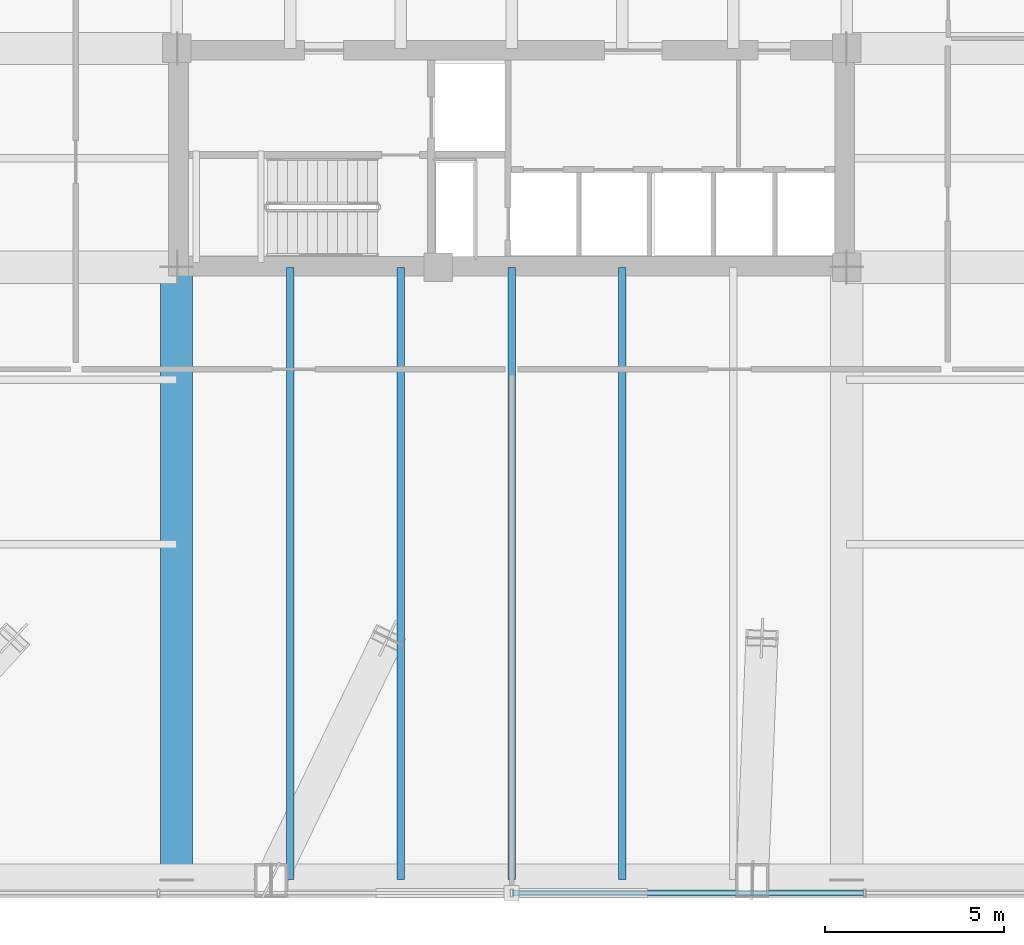
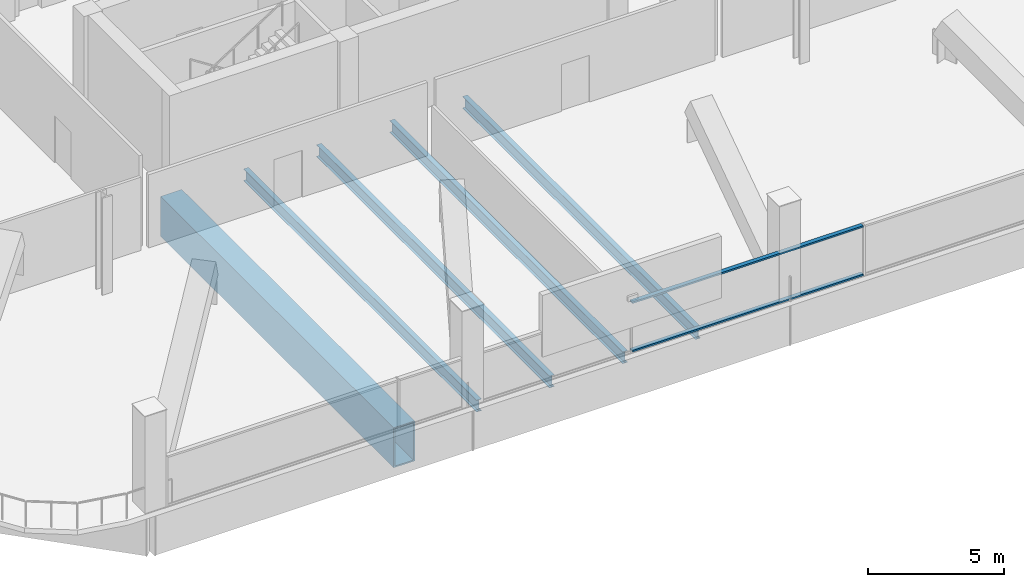
# One storey, part 5 of 38: 5 beams, 2 members, 1 element without a shape of its own.
"""IFC4 building model written with IfcOpenShell, lengths in metres."""

from ifc_helpers import new_model, si_unit, direction, frame, origin, origin_2d, place, context, subcontext, project, spatial, hollow_rectangle, i_section, extrude, material, layer, layer_set, material_profile, profile_set, type_object, element, aggregate, save


model = new_model("IFC4")

# Units and contexts
model_context = context("Model", 3, precision=1e-05, world=origin(), true_north=direction((0.0, 1.0)))
body_context = subcontext(model_context, "Body", "Model", "MODEL_VIEW")
ifc_project = project(units=[si_unit("LENGTHUNIT", "METRE"), si_unit("AREAUNIT", "SQUARE_METRE"), si_unit("VOLUMEUNIT", "CUBIC_METRE"), si_unit("PLANEANGLEUNIT", "RADIAN"), si_unit("MASSUNIT", "GRAM", prefix="KILO")], contexts=[model_context])

# Site, building, storey
site_placement = place(None, origin())
site = spatial("IfcSite", under=ifc_project, at=site_placement, CompositionType="ELEMENT")
building_placement = place(site_placement, origin())
building = spatial("IfcBuilding", under=site, at=building_placement, Name="Qhalaya Broadcast Tower", CompositionType="ELEMENT")
storey_placement = place(building_placement, frame((0.0, 0.0, 53.550048828125)))
storey = spatial("IfcBuildingStorey", under=building, at=storey_placement, Name="L15", CompositionType="ELEMENT", Elevation=53.550048828125)

# Beams
ifc_material_1 = material(Name="Structural Steel ASTM A572 Grade 50", Category="steel")
ifc_material_profile_1 = material_profile(ifc_material_1, hollow_rectangle(XDim=0.89990234375, YDim=1.800048828125, WallThickness=0.06005859375, at=origin_2d()), Name="BOX 900x1800x60")
ifc_profile_set_1 = profile_set([ifc_material_profile_1], Name="Structural Steel ASTM A572 Grade 50")
beam_type_1 = type_object("IfcBeamType", Name="Block Cantilever Transfer Box Girder TG1", PredefinedType="USERDEFINED", material=ifc_profile_set_1)
beam_placement = place(storey_placement, frame((-9.375, -25.8798828125, -1.1201171875), z_axis=(0.0, 1.0, 0.0), x_axis=(-1.0, 0.0, 0.0)))
element("IfcBeam", 1, at=beam_placement, inside=storey, type_object=beam_type_1, Name="L15 TG1 L15-PGXS1-1", ObjectType="GIRDER", PredefinedType="USERDEFINED", context=body_context, shape_type="SweptSolid", body=[
    extrude(hollow_rectangle(XDim=0.89990234375, YDim=1.800048828125, WallThickness=0.06005859375, at=origin_2d()), origin(), (0.0, 0.0, 1.0), 17.1298828125),
])
ifc_material_2 = material(Name="Structural Steel ASTM A992 Grade 50", Category="steel")
ifc_material_profile_2 = material_profile(ifc_material_2, i_section(OverallWidth=0.2099609375, OverallDepth=0.535888671875, WebThickness=0.010986328125, FlangeThickness=0.017333984375, at=origin_2d()), Name="W21X68")
ifc_profile_set_2 = profile_set([ifc_material_profile_2], Name="Structural Steel ASTM A992 Grade 50")
beam_type_2 = type_object("IfcBeamType", Name="Composite Floor Joist J02", PredefinedType="JOIST", material=ifc_profile_set_2)
for number, where, z_axis, x_axis, name in (
    (2, (-6.199951171875, -25.8798828125, -0.488037109375), (0.0, 1.0, 0.0), (-1.0, 0.0, 0.0), "L15 J02 L15-JNS1-1"),
    (3, (-3.10009765625, -25.8798828125, -0.488037109375), (0.0, 1.0, 0.0), (-1.0, 0.0, 0.0), "L15 J02 L15-JNS2-1"),
    (4, (0.0, -25.8798828125, -0.488037109375), (0.0, 1.0, 0.0), (-1.0, 0.0, 0.0), "L15 J02 L15-JNS3-1"),
    (5, (3.10009765625, -25.8798828125, -0.488037109375), (0.0, 1.0, 0.0), (-1.0, 0.0, 0.0), "L15 J02 L15-JNS4-1"),
):
    element("IfcBeam", number, at=place(storey_placement, frame(where, z_axis=z_axis, x_axis=x_axis)), inside=storey, type_object=beam_type_2, Name=name, PredefinedType="JOIST", context=body_context, shape_type="SweptSolid", body=[
        extrude(i_section(OverallWidth=0.2099609375, OverallDepth=0.535888671875, WebThickness=0.010986328125, FlangeThickness=0.017333984375, at=origin_2d()), origin(), (0.0, 0.0, 1.0), 17.1298828125),
    ])

# Curtain wall, members
ifc_material_3 = material(Name="Fired Architectural Terracotta", Category="masonry")
ifc_layer = layer(ifc_material_3, 0.219970703125, Name="Fired Architectural Terracotta")
ifc_layer_set = layer_set([ifc_layer], Name="Fired Architectural Terracotta")
curtain_wall_type = type_object("IfcCurtainWallType", Name="Block-Cap Unitised Terracotta Spandrel Wall CW-07", PredefinedType="NOTDEFINED", material=ifc_layer_set)
curtain_wall_placement = place(storey_placement, origin())
curtain_wall = element("IfcCurtainWall", 6, at=curtain_wall_placement, inside=storey, type_object=curtain_wall_type, Name="L15 Unitised Curtain Wall L15-CW-S", PredefinedType="NOTDEFINED")
ifc_material_4 = material(Name="Anodised Aluminium 6063-T6", Category="aluminium")
ifc_material_profile_3 = material_profile(ifc_material_4, hollow_rectangle(XDim=0.074951171875, YDim=0.179931640625, WallThickness=0.00390625, at=origin_2d()), Name="ALU-TRN 75x180x4")
ifc_profile_set_3 = profile_set([ifc_material_profile_3], Name="Anodised Aluminium 6063-T6")
member_type = type_object("IfcMemberType", Name="Unitised Curtain-Wall Transom T01", PredefinedType="USERDEFINED", material=ifc_profile_set_3)
member_1_placement = place(storey_placement, frame((9.843505859375, -26.260009765625, 0.037353515625), z_axis=(-1.0, 0.0, 0.0), x_axis=(0.0, 0.0, 1.0)))
member_1 = element("IfcMember", 7, at=member_1_placement, type_object=member_type, Name="CW-07 transom 2.1", ObjectType="TRANSOM", PredefinedType="USERDEFINED", context=body_context, shape_type="SweptSolid", body=[
    extrude(hollow_rectangle(XDim=0.074951171875, YDim=0.179931640625, WallThickness=0.00390625, at=origin_2d()), origin(), (0.0, 0.0, 1.0), 9.805908203125),
])
member_2_placement = place(storey_placement, frame((9.843505859375, -26.260009765625, 2.21240234375), z_axis=(-1.0, 0.0, 0.0), x_axis=(0.0, 0.0, 1.0)))
member_2 = element("IfcMember", 8, at=member_2_placement, type_object=member_type, Name="CW-07 transom 2.2", ObjectType="TRANSOM", PredefinedType="USERDEFINED", context=body_context, shape_type="SweptSolid", body=[
    extrude(hollow_rectangle(XDim=0.074951171875, YDim=0.179931640625, WallThickness=0.00390625, at=origin_2d()), origin(), (0.0, 0.0, 1.0), 9.805908203125),
])
aggregate(curtain_wall, [member_1, member_2])

save(model, "model.ifc")
